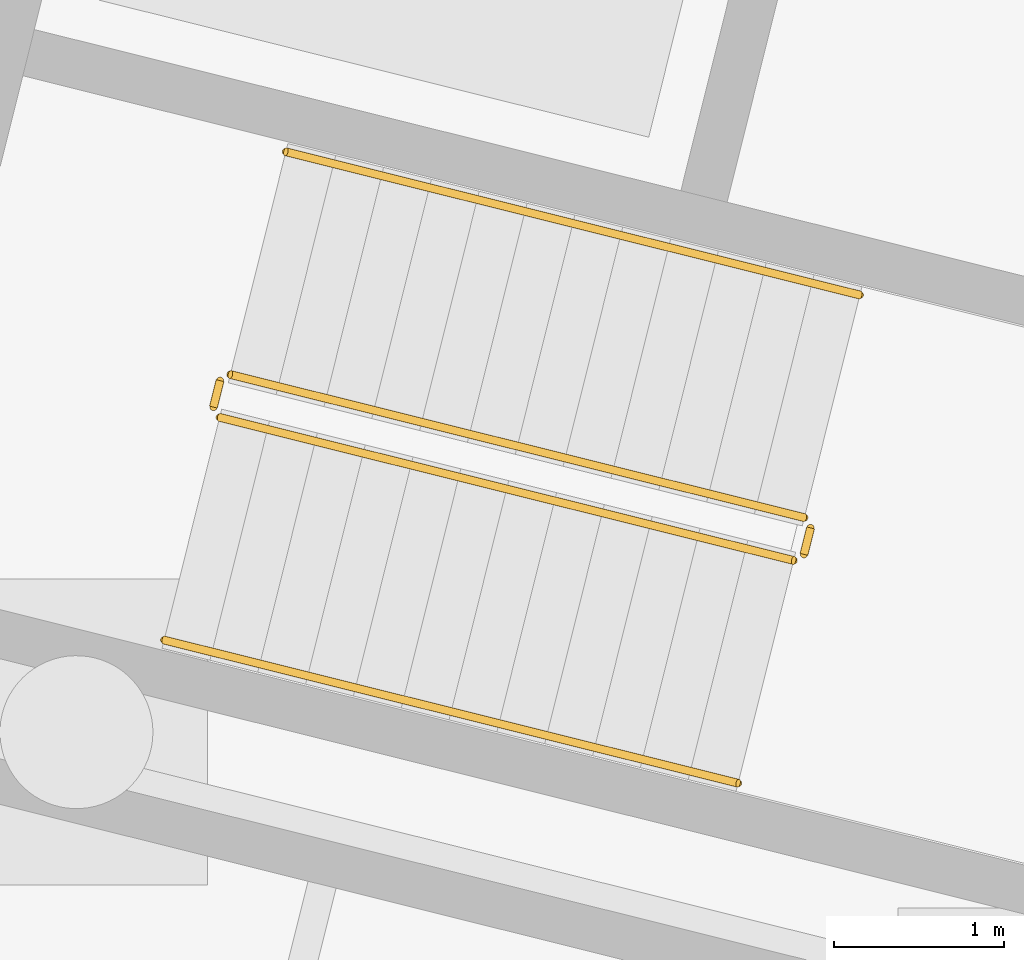
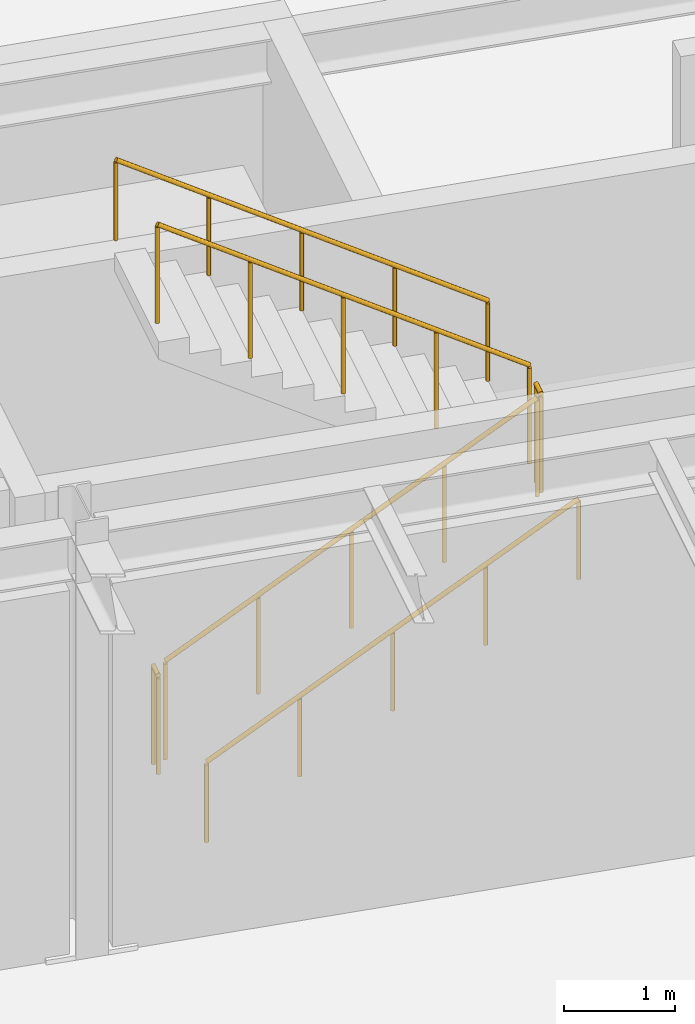
# One storey, part 48 of 50: 6 railings.
"""IFC4 building model written with IfcOpenShell, lengths in metres."""

from ifc_helpers import new_model, si_unit, direction, frame, origin, origin_2d, place, context, subcontext, project, spatial, circle, extrude, material, type_object, element, save


model = new_model("IFC4")

# Units and contexts
model_context = context("Model", 3, precision=1e-05, world=origin(), true_north=direction((0.0, 1.0)))
body_context = subcontext(model_context, "Body", "Model", "MODEL_VIEW")
ifc_project = project(units=[si_unit("LENGTHUNIT", "METRE"), si_unit("AREAUNIT", "SQUARE_METRE"), si_unit("VOLUMEUNIT", "CUBIC_METRE"), si_unit("PLANEANGLEUNIT", "RADIAN"), si_unit("MASSUNIT", "GRAM", prefix="KILO")], contexts=[model_context])

# Site, building, storey
site_placement = place(None, origin())
site = spatial("IfcSite", under=ifc_project, at=site_placement, CompositionType="ELEMENT")
building_placement = place(site_placement, origin())
building = spatial("IfcBuilding", under=site, at=building_placement, Name="Varnklinge Art Gallery", CompositionType="ELEMENT")
storey_placement = place(building_placement, frame((0.0, 0.0, -4.800048828125)))
storey = spatial("IfcBuildingStorey", under=building, at=storey_placement, Name="B01", CompositionType="ELEMENT", Elevation=-4.800048828125)

# Railings
ifc_material_1 = material(Name="Steel S355", Category="steel")
railing_type_1 = type_object("IfcRailingType", Name="GR-INT", PredefinedType="GUARDRAIL", material=ifc_material_1)
railing_1_placement = place(storey_placement, frame((25.0751953125, 90.95556640625, 0.1845703125)))
element("IfcRailing", 1, at=railing_1_placement, inside=storey, type_object=railing_type_1, Name="B01 ST-04 stair guard 1", PredefinedType="GUARDRAIL", context=body_context, shape_type="SweptSolid", body=[
    extrude(circle(Radius=0.02392578125, at=origin_2d()), frame((0.0, 0.0, 1.076171875), z_axis=(0.818501400606, -0.204048357262, 0.537047228002), x_axis=(0.24189180336, 0.970303228618, 0.0)), (0.0, 0.0, 1.0), 4.12548828125),
    extrude(circle(Radius=0.02099609375, at=origin_2d()), origin(), (0.0, 0.0, 1.0), 1.052001953125),
    extrude(circle(Radius=0.02099609375, at=origin_2d()), frame((0.84423828125, -0.21044921875, 0.553955078125)), (0.0, 0.0, 1.0), 1.052001953125),
    extrude(circle(Radius=0.02099609375, at=origin_2d()), frame((1.6884765625, -0.4208984375, 1.10791015625)), (0.0, 0.0, 1.0), 1.052001953125),
    extrude(circle(Radius=0.02099609375, at=origin_2d()), frame((2.532470703125, -0.63134765625, 1.66162109375)), (0.0, 0.0, 1.0), 1.052001953125),
    extrude(circle(Radius=0.02099609375, at=origin_2d()), frame((3.376708984375, -0.841796875, 2.215576171875)), (0.0, 0.0, 1.0), 1.052001953125),
])
railing_2_placement = place(storey_placement, frame((28.512451171875, 90.150146484375, 2.400146484375)))
element("IfcRailing", 2, at=railing_2_placement, inside=storey, type_object=railing_type_1, Name="B01 ST-04 stair guard 2", PredefinedType="GUARDRAIL", context=body_context, shape_type="SweptSolid", body=[
    extrude(circle(Radius=0.02392578125, at=origin_2d()), frame((0.0, 0.0, 1.076171875), z_axis=(0.242535625036, 0.970142500145, 0.0), x_axis=(-0.970142500145, 0.242535625036, 0.0)), (0.0, 0.0, 1.0), 0.16015625),
    extrude(circle(Radius=0.02099609375, at=origin_2d()), origin(), (0.0, 0.0, 1.0), 1.052001953125),
    extrude(circle(Radius=0.02099609375, at=origin_2d()), frame((0.038818359375, 0.1552734375, 0.0)), (0.0, 0.0, 1.0), 1.052001953125),
])
railing_3_placement = place(storey_placement, frame((28.514892578125, 90.365966796875, 2.584716796875)))
element("IfcRailing", 3, at=railing_3_placement, inside=storey, type_object=railing_type_1, Name="B01 ST-04 stair guard 3", PredefinedType="GUARDRAIL", context=body_context, shape_type="SweptSolid", body=[
    extrude(circle(Radius=0.02392578125, at=origin_2d()), frame((0.0, 0.0, 1.076171875), z_axis=(-0.818527413851, 0.204054842235, 0.537005115558), x_axis=(-0.24189180336, -0.970303228618, 0.0)), (0.0, 0.0, 1.0), 4.125244140625),
    extrude(circle(Radius=0.02099609375, at=origin_2d()), origin(), (0.0, 0.0, 1.0), 1.052001953125),
    extrude(circle(Radius=0.02099609375, at=origin_2d()), frame((-0.84423828125, 0.21044921875, 0.5537109375)), (0.0, 0.0, 1.0), 1.052001953125),
    extrude(circle(Radius=0.02099609375, at=origin_2d()), frame((-1.6884765625, 0.4208984375, 1.107666015625)), (0.0, 0.0, 1.0), 1.052001953125),
    extrude(circle(Radius=0.02099609375, at=origin_2d()), frame((-2.532470703125, 0.63134765625, 1.66162109375)), (0.0, 0.0, 1.0), 1.052001953125),
    extrude(circle(Radius=0.02099609375, at=origin_2d()), frame((-3.376708984375, 0.841796875, 2.21533203125)), (0.0, 0.0, 1.0), 1.052001953125),
])
railing_4_placement = place(storey_placement, frame((25.038818359375, 91.01611328125, 0.0)))
element("IfcRailing", 4, at=railing_4_placement, inside=storey, type_object=railing_type_1, Name="B01 ST-04 stair guard 4", PredefinedType="GUARDRAIL", context=body_context, shape_type="SweptSolid", body=[
    extrude(circle(Radius=0.02392578125, at=origin_2d()), frame((0.0, 0.0, 1.076171875), z_axis=(0.242535625036, 0.970142500145, 0.0), x_axis=(-0.970142500145, 0.242535625036, 0.0)), (0.0, 0.0, 1.0), 0.16015625),
    extrude(circle(Radius=0.02099609375, at=origin_2d()), origin(), (0.0, 0.0, 1.0), 1.052001953125),
    extrude(circle(Radius=0.02099609375, at=origin_2d()), frame((0.038818359375, 0.1552734375, 0.0)), (0.0, 0.0, 1.0), 1.052001953125),
])
ifc_material_2 = material(Name="Steel S355", Category="steel")
railing_type_2 = type_object("IfcRailingType", Name="HR-01", PredefinedType="HANDRAIL", material=ifc_material_2)
railing_5_placement = place(storey_placement, frame((24.748779296875, 89.645751953125, 0.1845703125)))
element("IfcRailing", 5, at=railing_5_placement, inside=storey, type_object=railing_type_2, Name="B01 ST-04 stair handrail 1", PredefinedType="HANDRAIL", context=body_context, shape_type="SweptSolid", body=[
    extrude(circle(Radius=0.02392578125, at=origin_2d()), frame((0.0, 0.0, 0.8759765625), z_axis=(0.818471981266, -0.204114957584, 0.537066755603), x_axis=(0.241974321886, 0.97028265343, 0.0)), (0.0, 0.0, 1.0), 4.125244140625),
    extrude(circle(Radius=0.02099609375, at=origin_2d()), origin(), (0.0, 0.0, 1.0), 0.851806640625),
    extrude(circle(Radius=0.02099609375, at=origin_2d()), frame((0.84423828125, -0.21044921875, 0.553955078125)), (0.0, 0.0, 1.0), 0.851806640625),
    extrude(circle(Radius=0.02099609375, at=origin_2d()), frame((1.688232421875, -0.4208984375, 1.10791015625)), (0.0, 0.0, 1.0), 0.851806640625),
    extrude(circle(Radius=0.02099609375, at=origin_2d()), frame((2.5322265625, -0.631591796875, 1.66162109375)), (0.0, 0.0, 1.0), 0.851806640625),
    extrude(circle(Radius=0.02099609375, at=origin_2d()), frame((3.37646484375, -0.842041015625, 2.215576171875)), (0.0, 0.0, 1.0), 0.851806640625),
])
railing_6_placement = place(storey_placement, frame((28.84130859375, 91.67578125, 2.584716796875)))
element("IfcRailing", 6, at=railing_6_placement, inside=storey, type_object=railing_type_2, Name="B01 ST-04 stair handrail 2", PredefinedType="HANDRAIL", context=body_context, shape_type="SweptSolid", body=[
    extrude(circle(Radius=0.02392578125, at=origin_2d()), frame((0.0, 0.0, 0.8759765625), z_axis=(-0.818497995467, 0.204121445146, 0.537024642868), x_axis=(-0.241974321886, -0.97028265343, 0.0)), (0.0, 0.0, 1.0), 4.125244140625),
    extrude(circle(Radius=0.02099609375, at=origin_2d()), origin(), (0.0, 0.0, 1.0), 0.851806640625),
    extrude(circle(Radius=0.02099609375, at=origin_2d()), frame((-0.84423828125, 0.21044921875, 0.5537109375)), (0.0, 0.0, 1.0), 0.851806640625),
    extrude(circle(Radius=0.02099609375, at=origin_2d()), frame((-1.688232421875, 0.4208984375, 1.107666015625)), (0.0, 0.0, 1.0), 0.851806640625),
    extrude(circle(Radius=0.02099609375, at=origin_2d()), frame((-2.5322265625, 0.631591796875, 1.66162109375)), (0.0, 0.0, 1.0), 0.851806640625),
    extrude(circle(Radius=0.02099609375, at=origin_2d()), frame((-3.37646484375, 0.842041015625, 2.21533203125)), (0.0, 0.0, 1.0), 0.851806640625),
])

save(model, "model.ifc")
